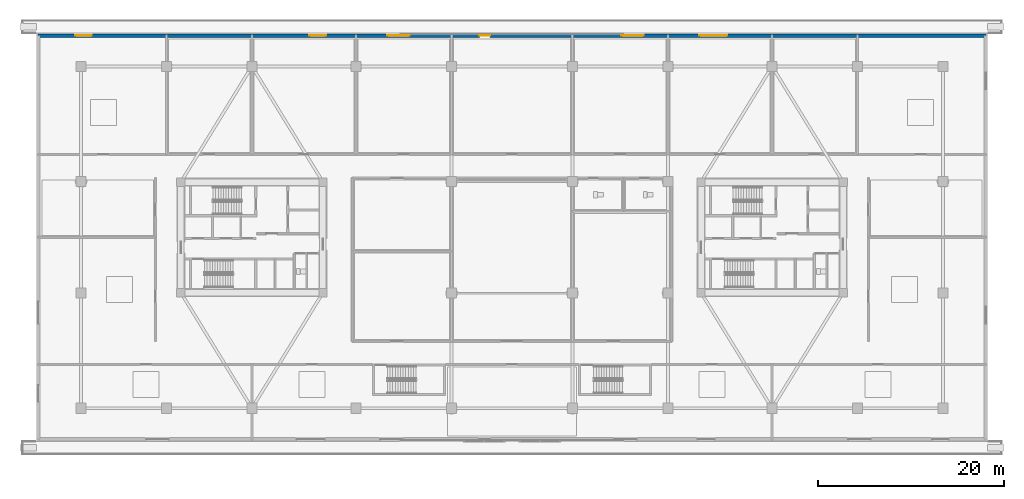
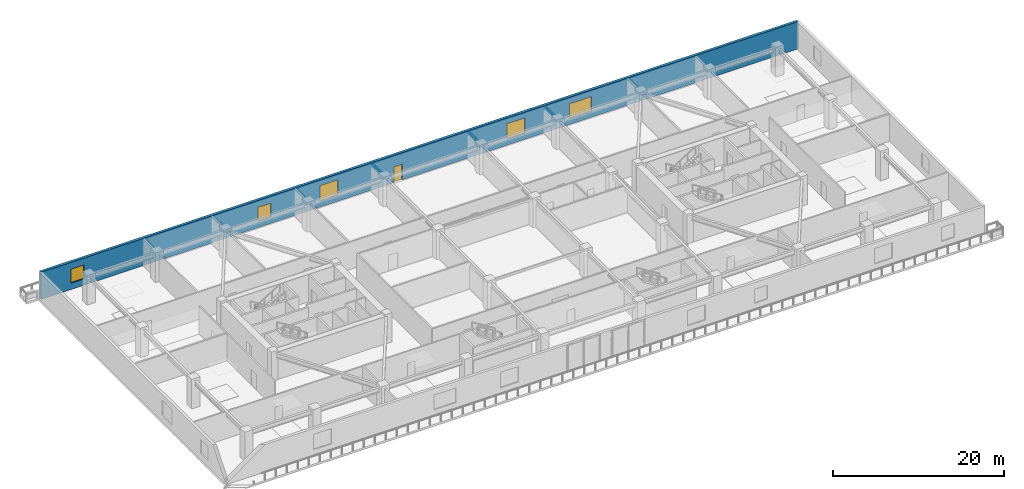
# One storey, part 10 of 23: 5 windows, 1 door, 1 wall, 6 openings.
"""IFC4 building model written with IfcOpenShell, lengths in metres."""

from ifc_helpers import new_model, si_unit, direction, frame, frame_2d, origin, place, context, subcontext, project, spatial, rectangle, extrude, source, transform, mapped, material, layer, layer_set, type_object, type_shapes, element, fill, save


model = new_model("IFC4")

# Units and contexts
model_context = context("Model", 3, precision=1e-05, world=origin(), true_north=direction((0.0, 1.0)))
body_context = subcontext(model_context, "Body", "Model", "MODEL_VIEW")
ifc_project = project(units=[si_unit("LENGTHUNIT", "METRE"), si_unit("AREAUNIT", "SQUARE_METRE"), si_unit("VOLUMEUNIT", "CUBIC_METRE"), si_unit("PLANEANGLEUNIT", "RADIAN"), si_unit("MASSUNIT", "GRAM", prefix="KILO")], contexts=[model_context])

# Site, building, storey
site_placement = place(None, origin())
site = spatial("IfcSite", under=ifc_project, at=site_placement, CompositionType="ELEMENT")
building_placement = place(site_placement, origin())
building = spatial("IfcBuilding", under=site, at=building_placement, Name="Norrkilde Senior Care Towers", CompositionType="ELEMENT")
storey_placement = place(building_placement, frame((0.0, 0.0, 8.39990234375)))
storey = spatial("IfcBuildingStorey", under=building, at=storey_placement, Name="L02", CompositionType="ELEMENT", Elevation=8.39990234375)

# Wall, openings, windows, door
ifc_material_1 = material(Name="Precast concrete C45/55", Category="concrete")
ifc_layer = layer(ifc_material_1, 0.360107421875)
ifc_layer_set = layer_set([ifc_layer], Name="Precast concrete C45/55")
wall_type = type_object("IfcWallType", Name="Podium Facade Wall 360", PredefinedType="SOLIDWALL", material=ifc_layer_set)
shared_shape_1 = source(origin(), body_context, "Body", "SweptSolid", [
    extrude(rectangle(XDim=102.0400390625, YDim=0.360107421875, at=frame_2d((51.02001953125, 0.0))), origin(), (0.0, 0.0, 1.0), 3.880126953125),
])
type_shapes(wall_type, [shared_shape_1])
wall_placement = place(storey_placement, frame((-51.02001953125, 21.719970703125, 0.0), z_axis=(0.0, 0.0, 1.0), x_axis=(1.0, 0.0, 0.0)))
wall = element("IfcWall", 1, at=wall_placement, inside=storey, type_object=wall_type, Name="L02 Podium N Facade Wall", PredefinedType="SOLIDWALL", context=body_context, shape_type="MappedRepresentation", body=[
    mapped(shared_shape_1, transform((0.0, 0.0, 0.0), x_axis=(1.0, 0.0, 0.0), y_axis=(0.0, 1.0, 0.0), z_axis=(0.0, 0.0, 1.0), scale=1.0)),
])
opening_1_placement = place(wall_placement, frame((47.52001953125, 0.0, 0.0)))
opening_1 = element("IfcOpeningElement", 2, at=opening_1_placement, cuts=wall, Name="Opening D-09", PredefinedType="OPENING", context=body_context, shape_type="SweptSolid", body=[
    extrude(rectangle(XDim=1.14990234375, YDim=2.25, at=frame_2d((0.574951171875, 1.125))), frame((0.0, 0.18994140625, 0.0), z_axis=(0.0, -1.0, 0.0), x_axis=(1.0, 0.0, 0.0)), (0.0, 0.0, 1.0), 0.380126953125),
])
opening_2_placement = place(wall_placement, frame((4.0, 0.0, 0.89990234375)))
opening_2 = element("IfcOpeningElement", 3, at=opening_2_placement, cuts=wall, Name="Opening WN-03", PredefinedType="OPENING", context=body_context, shape_type="SweptSolid", body=[
    extrude(rectangle(XDim=1.800048828125, YDim=2.0, at=frame_2d((0.89990234375, 1.0))), frame((0.0, 0.18994140625, 0.0), z_axis=(0.0, -1.0, 0.0), x_axis=(1.0, 0.0, 0.0)), (0.0, 0.0, 1.0), 0.380126953125),
])
opening_3_placement = place(wall_placement, frame((29.199951171875, 0.0, 0.89990234375)))
opening_3 = element("IfcOpeningElement", 4, at=opening_3_placement, cuts=wall, Name="Opening WN-03", PredefinedType="OPENING", context=body_context, shape_type="SweptSolid", body=[
    extrude(rectangle(XDim=1.800048828125, YDim=2.0, at=frame_2d((0.89990234375, 1.0))), frame((0.0, 0.18994140625, 0.0), z_axis=(0.0, -1.0, 0.0), x_axis=(1.0, 0.0, 0.0)), (0.0, 0.0, 1.0), 0.380126953125),
])
opening_4_placement = place(wall_placement, frame((37.60009765625, 0.0, 0.85009765625)))
opening_4 = element("IfcOpeningElement", 5, at=opening_4_placement, cuts=wall, Name="Opening WN-01", PredefinedType="OPENING", context=body_context, shape_type="SweptSolid", body=[
    extrude(rectangle(XDim=2.39990234375, YDim=2.199951171875, at=frame_2d((1.199951171875, 1.10009765625))), frame((0.0, 0.18994140625, 0.0), z_axis=(0.0, -1.0, 0.0), x_axis=(1.0, 0.0, 0.0)), (0.0, 0.0, 1.0), 0.380126953125),
])
opening_5_placement = place(wall_placement, frame((62.800048828125, 0.0, 0.85009765625)))
opening_5 = element("IfcOpeningElement", 6, at=opening_5_placement, cuts=wall, Name="Opening WN-01", PredefinedType="OPENING", context=body_context, shape_type="SweptSolid", body=[
    extrude(rectangle(XDim=2.39990234375, YDim=2.199951171875, at=frame_2d((1.199951171875, 1.10009765625))), frame((0.0, 0.18994140625, 0.0), z_axis=(0.0, -1.0, 0.0), x_axis=(1.0, 0.0, 0.0)), (0.0, 0.0, 1.0), 0.380126953125),
])
opening_6_placement = place(wall_placement, frame((71.199951171875, 0.0, 0.85009765625)))
opening_6 = element("IfcOpeningElement", 7, at=opening_6_placement, cuts=wall, Name="Opening WN-02", PredefinedType="OPENING", context=body_context, shape_type="SweptSolid", body=[
    extrude(rectangle(XDim=3.0, YDim=2.10009765625, at=frame_2d((1.5, 1.050048828125))), frame((0.0, 0.18994140625, 0.0), z_axis=(0.0, -1.0, 0.0), x_axis=(1.0, 0.0, 0.0)), (0.0, 0.0, 1.0), 0.380126953125),
])
ifc_material_2 = material(Name="Triple Low-E Insulated Glazing", Category="glass")
window_type_1 = type_object("IfcWindowType", Name="Podium Clinic Triple Window 2400x2200", PartitioningType="SINGLE_PANEL", PredefinedType="WINDOW", material=ifc_material_2)
shared_shape_2 = source(origin(), body_context, "Body", "SweptSolid", [
    extrude(rectangle(XDim=2.39990234375, YDim=2.199951171875, at=frame_2d((1.199951171875, 1.10009765625))), frame((0.0, 0.030029296875, 0.0), z_axis=(0.0, -1.0, 0.0), x_axis=(1.0, 0.0, 0.0)), (0.0, 0.0, 1.0), 0.06005859375),
])
type_shapes(window_type_1, [shared_shape_2])
window_1_placement = place(opening_4_placement, origin())
window_1 = element("IfcWindow", 8, at=window_1_placement, inside=storey, type_object=window_type_1, Name="L02 N Window 05", OverallHeight=2.199951171875, OverallWidth=2.39990234375, PartitioningType="SINGLE_PANEL", PredefinedType="WINDOW", context=body_context, shape_type="MappedRepresentation", body=[
    mapped(shared_shape_2, transform((0.0, 0.0, 0.0), x_axis=(1.0, 0.0, 0.0), y_axis=(0.0, 1.0, 0.0), z_axis=(0.0, 0.0, 1.0), scale=1.0)),
])
fill(opening_4, window_1)
window_2_placement = place(opening_5_placement, origin())
window_2 = element("IfcWindow", 9, at=window_2_placement, inside=storey, type_object=window_type_1, Name="L02 N Window 08", OverallHeight=2.199951171875, OverallWidth=2.39990234375, PartitioningType="SINGLE_PANEL", PredefinedType="WINDOW", context=body_context, shape_type="MappedRepresentation", body=[
    mapped(shared_shape_2, transform((0.0, 0.0, 0.0), x_axis=(1.0, 0.0, 0.0), y_axis=(0.0, 1.0, 0.0), z_axis=(0.0, 0.0, 1.0), scale=1.0)),
])
fill(opening_5, window_2)
window_type_2 = type_object("IfcWindowType", Name="Podium Rehab Ribbon Window 3000x2100", PartitioningType="SINGLE_PANEL", PredefinedType="WINDOW", material=ifc_material_2)
shared_shape_3 = source(origin(), body_context, "Body", "SweptSolid", [
    extrude(rectangle(XDim=3.0, YDim=2.10009765625, at=frame_2d((1.5, 1.050048828125))), frame((0.0, 0.030029296875, 0.0), z_axis=(0.0, -1.0, 0.0), x_axis=(1.0, 0.0, 0.0)), (0.0, 0.0, 1.0), 0.06005859375),
])
type_shapes(window_type_2, [shared_shape_3])
window_3_placement = place(opening_6_placement, origin())
window_3 = element("IfcWindow", 10, at=window_3_placement, inside=storey, type_object=window_type_2, Name="L02 N Window 09", OverallHeight=2.10009765625, OverallWidth=3.0, PartitioningType="SINGLE_PANEL", PredefinedType="WINDOW", context=body_context, shape_type="MappedRepresentation", body=[
    mapped(shared_shape_3, transform((0.0, 0.0, 0.0), x_axis=(1.0, 0.0, 0.0), y_axis=(0.0, 1.0, 0.0), z_axis=(0.0, 0.0, 1.0), scale=1.0)),
])
fill(opening_6, window_3)
window_type_3 = type_object("IfcWindowType", Name="Podium Therapy Garden Window 1800x2000", PartitioningType="SINGLE_PANEL", PredefinedType="WINDOW", material=ifc_material_2)
shared_shape_4 = source(origin(), body_context, "Body", "SweptSolid", [
    extrude(rectangle(XDim=1.800048828125, YDim=2.0, at=frame_2d((0.89990234375, 1.0))), frame((0.0, 0.030029296875, 0.0), z_axis=(0.0, -1.0, 0.0), x_axis=(1.0, 0.0, 0.0)), (0.0, 0.0, 1.0), 0.06005859375),
])
type_shapes(window_type_3, [shared_shape_4])
window_4_placement = place(opening_2_placement, origin())
window_4 = element("IfcWindow", 11, at=window_4_placement, inside=storey, type_object=window_type_3, Name="L02 N Window 01", OverallHeight=2.0, OverallWidth=1.800048828125, PartitioningType="SINGLE_PANEL", PredefinedType="WINDOW", context=body_context, shape_type="MappedRepresentation", body=[
    mapped(shared_shape_4, transform((0.0, 0.0, 0.0), x_axis=(1.0, 0.0, 0.0), y_axis=(0.0, 1.0, 0.0), z_axis=(0.0, 0.0, 1.0), scale=1.0)),
])
fill(opening_2, window_4)
window_5_placement = place(opening_3_placement, origin())
window_5 = element("IfcWindow", 12, at=window_5_placement, inside=storey, type_object=window_type_3, Name="L02 N Window 04", OverallHeight=2.0, OverallWidth=1.800048828125, PartitioningType="SINGLE_PANEL", PredefinedType="WINDOW", context=body_context, shape_type="MappedRepresentation", body=[
    mapped(shared_shape_4, transform((0.0, 0.0, 0.0), x_axis=(1.0, 0.0, 0.0), y_axis=(0.0, 1.0, 0.0), z_axis=(0.0, 0.0, 1.0), scale=1.0)),
])
fill(opening_3, window_5)
ifc_material_3 = material(Name="Anodised Aluminium", Category="aluminium")
door_type = type_object("IfcDoorType", Name="Terrace and Balcony Glazed Door 1150x2250", OperationType="NOTDEFINED", PredefinedType="DOOR", material=ifc_material_3)
shared_shape_5 = source(origin(), body_context, "Body", "SweptSolid", [
    extrude(rectangle(XDim=1.14990234375, YDim=2.25, at=frame_2d((0.574951171875, 1.125))), frame((0.0, 0.02490234375, 0.0), z_axis=(0.0, -1.0, 0.0), x_axis=(1.0, 0.0, 0.0)), (0.0, 0.0, 1.0), 0.050048828125),
])
type_shapes(door_type, [shared_shape_5])
door_placement = place(opening_1_placement, origin())
door = element("IfcDoor", 13, at=door_placement, inside=storey, type_object=door_type, Name="L02 North Cascading Garden Terrace Door", OperationType="SINGLE_SWING_LEFT", OverallHeight=2.25, OverallWidth=1.14990234375, PredefinedType="DOOR", context=body_context, shape_type="MappedRepresentation", body=[
    mapped(shared_shape_5, transform((0.0, 0.0, 0.0), x_axis=(1.0, 0.0, 0.0), y_axis=(0.0, 1.0, 0.0), z_axis=(0.0, 0.0, 1.0), scale=1.0)),
])
fill(opening_1, door)

save(model, "model.ifc")
